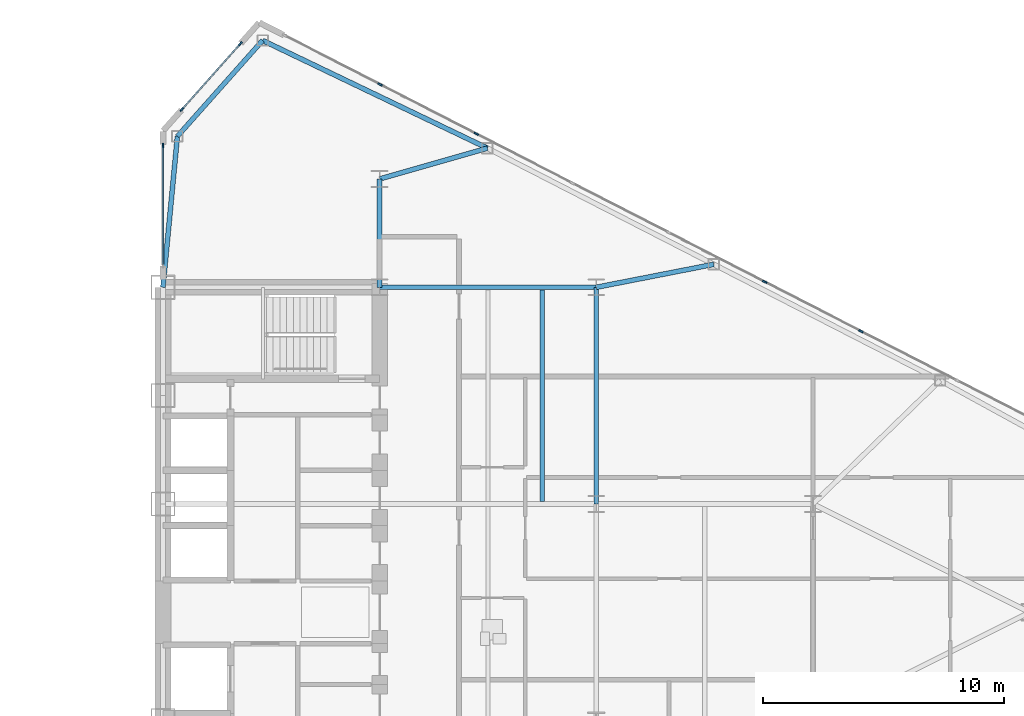
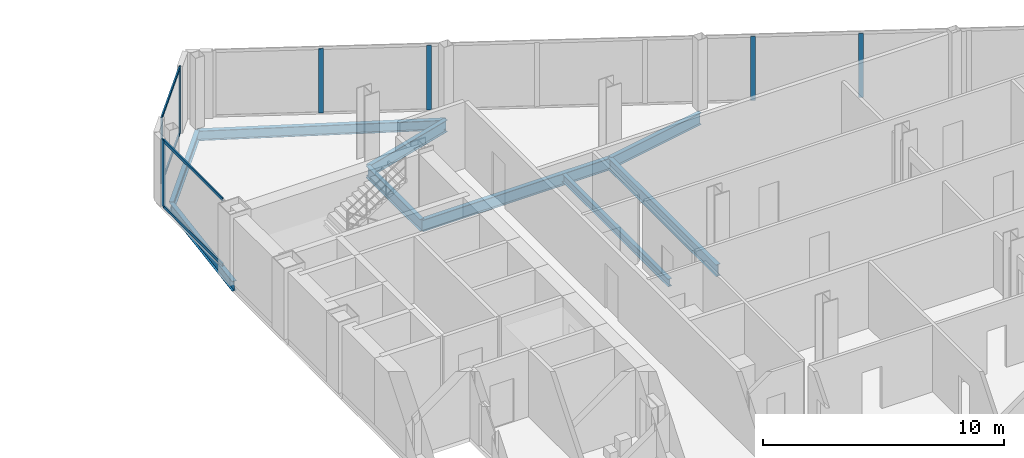
# One storey, part 11 of 24: 11 members, 9 beams, 3 elements without a shape of their own.
"""IFC4 building model written with IfcOpenShell, lengths in metres."""

import ifcopenshell
import ifcopenshell.guid

model = None  # the IFC model being written
_history = None  # IfcOwnerHistory: only IFC2X3 demands one
_inside = {}  # id of a spatial element -> (the spatial element, [elements in it])
_under = {}  # id of a project, library or spatial element -> (it, [spatial elements below it])
_declared = {}  # id of a project -> (the project, [libraries it declares])
_typed = {}  # id of a type object -> (the type object, [elements of that type])
_made_of = {}  # id of a material, layer set ... -> (it, [elements and type objects made of it])


def new_model(schema):
    """Start an empty IFC model of exactly this schema.

    Asked for "IFC4X3", IfcOpenShell would pick the latest addendum, in which some entities
    have other attributes; the version numbers below select the first issue.
    IFC2X3 requires an IfcOwnerHistory on every rooted entity: one is made here for all.
    """
    global model, _history
    if schema == "IFC4X3":
        model = ifcopenshell.file(schema_version=(4, 3, 0, 0))
    else:
        model = ifcopenshell.file(schema=schema)
    _inside.clear()
    _under.clear()
    _declared.clear()
    _typed.clear()
    _made_of.clear()
    _history = None
    if model.schema == "IFC2X3":
        org = make("IfcOrganization", Name="unknown")
        user = make(
            "IfcPersonAndOrganization",
            ThePerson=make("IfcPerson", FamilyName="unknown"),
            TheOrganization=org,
        )
        app = make(
            "IfcApplication",
            ApplicationDeveloper=org,
            Version="unknown",
            ApplicationFullName="unknown",
            ApplicationIdentifier="unknown",
        )
        _history = make(
            "IfcOwnerHistory",
            OwningUser=user,
            OwningApplication=app,
            ChangeAction="ADDED",
            CreationDate=0,
        )
    return model


def make(cls, **values):
    """One entity of the class cls with the attributes given. An attribute that is None is left unset."""
    return model.create_entity(
        cls, **{name: value for name, value in values.items() if value is not None}
    )


def rooted(cls, **values):
    """An entity with a GlobalId (a new one), such as an element, a storey or a relation."""
    return make(cls, GlobalId=ifcopenshell.guid.new(), OwnerHistory=_history, **values)


def si_unit(unit_type, name, prefix=None):
    """IfcSIUnit, for example si_unit("LENGTHUNIT", "METRE", prefix="MILLI")."""
    return make("IfcSIUnit", UnitType=unit_type, Prefix=prefix, Name=name)


def assignment(units):
    """IfcUnitAssignment: the units of a project."""
    return None if units is None else make("IfcUnitAssignment", Units=units)


def point(xyz):
    """IfcCartesianPoint."""
    return None if xyz is None else make("IfcCartesianPoint", Coordinates=xyz)


def direction(xyz):
    """IfcDirection."""
    return None if xyz is None else make("IfcDirection", DirectionRatios=xyz)


def frame(location, z_axis=None, x_axis=None):
    """IfcAxis2Placement3D, a coordinate frame: its origin and axes. An axis left out is left unset."""
    return make(
        "IfcAxis2Placement3D",
        Location=point(location),
        Axis=direction(z_axis),
        RefDirection=direction(x_axis),
    )


def frame_2d(location, x_axis=None):
    """IfcAxis2Placement2D, a coordinate frame in the plane: its origin and x axis."""
    return make(
        "IfcAxis2Placement2D", Location=point(location), RefDirection=direction(x_axis)
    )


def origin():
    """The frame at (0, 0, 0) with its axes left unset."""
    return frame((0.0, 0.0, 0.0))


def origin_2d():
    """The frame at (0, 0) in the plane with its x axis left unset."""
    return frame_2d((0.0, 0.0))


def place(relative_to, where):
    """IfcLocalPlacement: puts the frame where relative to a parent placement (None: the world)."""
    return make(
        "IfcLocalPlacement", PlacementRelTo=relative_to, RelativePlacement=where
    )


def context(
    kind, dimensions, precision=None, world=None, true_north=None, identifier=None
):
    """IfcGeometricRepresentationContext, for example the 3D "Model" context."""
    return make(
        "IfcGeometricRepresentationContext",
        ContextIdentifier=identifier,
        ContextType=kind,
        CoordinateSpaceDimension=dimensions,
        Precision=precision,
        WorldCoordinateSystem=world,
        TrueNorth=true_north,
    )


def subcontext(parent, identifier, kind, view, scale=None):
    """IfcGeometricRepresentationSubContext, for example "Body" below "Model"."""
    return make(
        "IfcGeometricRepresentationSubContext",
        ContextIdentifier=identifier,
        ContextType=kind,
        ParentContext=parent,
        TargetScale=scale,
        TargetView=view,
    )


def project(units=None, contexts=None):
    """IfcProject with its units and contexts."""
    return rooted(
        "IfcProject",
        Name="project",
        RepresentationContexts=contexts,
        UnitsInContext=assignment(units),
    )


def spatial(cls, under=None, at=None, **own):
    """A site, building, storey or space (cls), placed at a placement, below another one or the project."""
    s = rooted(cls, ObjectPlacement=at, **own)
    if under is not None:
        _under.setdefault(under.id(), (under, []))[1].append(s)
    return s


def profile(cls, at=None, kind="AREA", **sizes):
    """A parametric profile (cls). Its sizes go by their IFC names, for example OverallWidth=200.0."""
    return make(cls, ProfileType=kind, Position=at, **sizes)


def rectangle(**sizes):
    """IfcRectangleProfileDef."""
    return profile("IfcRectangleProfileDef", **sizes)


def i_section(**sizes):
    """IfcIShapeProfileDef."""
    return profile("IfcIShapeProfileDef", **sizes)


def extrude(swept, where, along, depth):
    """IfcExtrudedAreaSolid: the profile swept, set in the frame where, extruded along a direction by depth."""
    return make(
        "IfcExtrudedAreaSolid",
        SweptArea=swept,
        Position=where,
        ExtrudedDirection=direction(along),
        Depth=depth,
    )


def shape(context_of_items, identifier, shape_type, items):
    """IfcShapeRepresentation: the items that make up one representation, for example the "Body"."""
    return make(
        "IfcShapeRepresentation",
        ContextOfItems=context_of_items,
        RepresentationIdentifier=identifier,
        RepresentationType=shape_type,
        Items=items,
    )


def source(mapping_origin, context_of_items, identifier, shape_type, items):
    """IfcRepresentationMap: a shape defined once, which mapped items show again and again."""
    return make(
        "IfcRepresentationMap",
        MappingOrigin=mapping_origin,
        MappedRepresentation=shape(context_of_items, identifier, shape_type, items),
    )


def transform(
    local_origin,
    x_axis=None,
    y_axis=None,
    z_axis=None,
    scale=None,
    scale2=None,
    scale3=None,
    uniform=True,
):
    """IfcCartesianTransformationOperator3D, or its non-uniform kind. x_axis, y_axis, z_axis: its Axis1, 2, 3."""
    if uniform:
        return make(
            "IfcCartesianTransformationOperator3D",
            Axis1=direction(x_axis),
            Axis2=direction(y_axis),
            LocalOrigin=point(local_origin),
            Scale=scale,
            Axis3=direction(z_axis),
        )
    return make(
        "IfcCartesianTransformationOperator3DnonUniform",
        Axis1=direction(x_axis),
        Axis2=direction(y_axis),
        LocalOrigin=point(local_origin),
        Scale=scale,
        Axis3=direction(z_axis),
        Scale2=scale2,
        Scale3=scale3,
    )


def mapped(mapping_source, mapping_target):
    """IfcMappedItem: shows the shape of a source again, moved by a transform."""
    return make(
        "IfcMappedItem", MappingSource=mapping_source, MappingTarget=mapping_target
    )


def material(Name=None, Category=None):
    """IfcMaterial."""
    return make("IfcMaterial", Name=Name, Category=Category)


def layer(
    of_material, thickness, ventilated=None, Name=None, Category=None, Priority=None
):
    """IfcMaterialLayer: one layer of a wall or slab, of a material (None: an air gap)."""
    return make(
        "IfcMaterialLayer",
        Material=of_material,
        LayerThickness=thickness,
        IsVentilated=ventilated,
        Name=Name,
        Category=Category,
        Priority=Priority,
    )


def layer_set(layers, Name=None):
    """IfcMaterialLayerSet."""
    return make("IfcMaterialLayerSet", MaterialLayers=layers, LayerSetName=Name)


def material_profile(
    of_material, cross_section, Name=None, Category=None, Priority=None
):
    """IfcMaterialProfile: a cross section and its material."""
    return make(
        "IfcMaterialProfile",
        Name=Name,
        Material=of_material,
        Profile=cross_section,
        Priority=Priority,
        Category=Category,
    )


def profile_set(profiles, Name=None, composite=None):
    """IfcMaterialProfileSet."""
    return make(
        "IfcMaterialProfileSet",
        Name=Name,
        MaterialProfiles=profiles,
        CompositeProfile=composite,
    )


def made_of(thing, what):
    """Note that an element or type object is made of a material, layer set ...; save() writes the relation."""
    if what is not None:
        _made_of.setdefault(what.id(), (what, []))[1].append(thing)
    return thing


def type_object(cls, material=None, **own):
    """A type object (cls), such as IfcWallType, which elements share."""
    return made_of(rooted(cls, **own), material)


def type_shapes(of_type, sources):
    """Give a type object the sources (RepresentationMaps) that its elements show as mapped items."""
    of_type.RepresentationMaps = sources


def element(
    cls,
    number,
    at=None,
    inside=None,
    cuts=None,
    type_object=None,
    material=None,
    context=None,
    identifier="Body",
    shape_type=None,
    held_by="IfcProductDefinitionShape",
    body=None,
    shapes=None,
    **own,
):
    """One element of the class cls, such as IfcWall. Its Tag is "e" and its number.

    at: its placement. inside: the storey or other place that contains it. cuts: it is an
    opening in that element (IfcRelVoidsElement). A single representation is given by context,
    identifier, shape_type and body (its items); several are given by shapes. held_by: the class
    of the entity that holds the representations. save() writes the other relations.
    """
    e = rooted(cls, Tag="e%d" % number, ObjectPlacement=at, **own)
    if body is not None:
        shapes = [shape(context, identifier, shape_type, body)]
    if shapes is not None:
        e.Representation = make(held_by, Representations=shapes)
    if inside is not None:
        _inside.setdefault(inside.id(), (inside, []))[1].append(e)
    if cuts is not None:
        rooted(
            "IfcRelVoidsElement", RelatingBuildingElement=cuts, RelatedOpeningElement=e
        )
    if type_object is not None:
        _typed.setdefault(type_object.id(), (type_object, []))[1].append(e)
    return made_of(e, material)


def aggregate(whole, parts):
    """IfcRelAggregates: a whole, such as a stair, and the parts it consists of."""
    return rooted("IfcRelAggregates", RelatingObject=whole, RelatedObjects=parts)


def save(model, path):
    """Write the relations noted so far, then the file.

    IfcRelAggregates (storeys below a building ...), IfcRelContainedInSpatialStructure (elements
    in a storey), IfcRelDefinesByType, IfcRelAssociatesMaterial and IfcRelDeclares: one each for
    every whole, place, type object, material and project.
    """
    for whole, parts in _under.values():
        aggregate(whole, parts)
    for where, things in _inside.values():
        rooted(
            "IfcRelContainedInSpatialStructure",
            RelatedElements=things,
            RelatingStructure=where,
        )
    for kind, things in _typed.values():
        rooted("IfcRelDefinesByType", RelatedObjects=things, RelatingType=kind)
    for what, things in _made_of.values():
        rooted("IfcRelAssociatesMaterial", RelatedObjects=things, RelatingMaterial=what)
    for by, libraries in _declared.values():
        rooted("IfcRelDeclares", RelatingContext=by, RelatedDefinitions=libraries)
    model.write(path)


model = new_model("IFC4")

# Units and contexts
model_context = context("Model", 3, precision=1e-05, world=origin(), true_north=direction((0.0, 1.0)))
body_context = subcontext(model_context, "Body", "Model", "MODEL_VIEW")
ifc_project = project(units=[si_unit("LENGTHUNIT", "METRE"), si_unit("AREAUNIT", "SQUARE_METRE"), si_unit("VOLUMEUNIT", "CUBIC_METRE"), si_unit("PLANEANGLEUNIT", "RADIAN"), si_unit("MASSUNIT", "GRAM", prefix="KILO")], contexts=[model_context])

# Site, building, storey
site_placement = place(None, origin())
site = spatial("IfcSite", under=ifc_project, at=site_placement, CompositionType="ELEMENT")
building_placement = place(site_placement, origin())
building = spatial("IfcBuilding", under=site, at=building_placement, Name="Seokmaru Belvedere", CompositionType="ELEMENT")
storey_placement = place(building_placement, frame((0.0, 0.0, 124.800048828125)))
storey = spatial("IfcBuildingStorey", under=building, at=storey_placement, Name="L33", CompositionType="ELEMENT", Elevation=124.800048828125)

# Beams
ifc_material_1 = material(Name="Steel SM355 (355 MPa)", Category="steel")
ifc_material_profile_1 = material_profile(ifc_material_1, i_section(OverallWidth=0.199951171875, OverallDepth=0.60009765625, WebThickness=0.010986328125, FlangeThickness=0.01708984375, at=origin_2d()), Name="H-600x200x11x17")
ifc_profile_set_1 = profile_set([ifc_material_profile_1], Name="Steel SM355 (355 MPa)")
beam_type_1 = type_object("IfcBeamType", Name="Primary Floor Girder H-600", PredefinedType="BEAM", material=ifc_profile_set_1)
shared_shape_1 = source(origin(), body_context, "Body", "SweptSolid", [
    extrude(i_section(OverallWidth=0.199951171875, OverallDepth=0.60009765625, WebThickness=0.010986328125, FlangeThickness=0.01708984375, at=origin_2d()), origin(), (0.0, 0.0, 1.0), 9.0),
])
for number, where, z_axis, x_axis, name in (
    (1, (45.5, 4.5, -0.52001953125), (0.0, 1.0, 0.0), (-1.0, 0.0, 0.0), "L33 E Interior Grid Girder 3"),
    (2, (36.5, 13.5, -0.52001953125), (1.0, 0.0, 0.0), (0.0, 1.0, 0.0), "L33 E Wing Primary Girder 4"),
):
    element("IfcBeam", number, at=place(storey_placement, frame(where, z_axis=z_axis, x_axis=x_axis)), inside=storey, type_object=beam_type_1, Name=name, PredefinedType="BEAM", context=body_context, shape_type="MappedRepresentation", body=[
        mapped(shared_shape_1, transform((0.0, 0.0, 0.0), scale=1.0)),
    ])
ifc_material_profile_2 = material_profile(ifc_material_1, i_section(OverallWidth=0.18505859375, OverallDepth=0.389892578125, WebThickness=0.008056640625, FlangeThickness=0.011962890625, at=origin_2d()), Name="H-390x185x8x12")
ifc_profile_set_2 = profile_set([ifc_material_profile_2], Name="Steel SM355 (355 MPa)")
beam_type_2 = type_object("IfcBeamType", Name="Secondary Floor Joist H-350", PredefinedType="JOIST", material=ifc_profile_set_2)
shared_shape_2 = source(origin(), body_context, "Body", "SweptSolid", [
    extrude(i_section(OverallWidth=0.18505859375, OverallDepth=0.389892578125, WebThickness=0.008056640625, FlangeThickness=0.011962890625, at=origin_2d()), origin(), (0.0, 0.0, 1.0), 8.7900390625),
])
type_shapes(beam_type_2, [shared_shape_2])
beam_1_placement = place(storey_placement, frame((43.25, 4.60498046875, -0.4150390625), z_axis=(0.0, 1.0, 0.0), x_axis=(-1.0, 0.0, 0.0)))
element("IfcBeam", 3, at=beam_1_placement, inside=storey, type_object=beam_type_2, Name="L33 E Wing Inner Secondary Joist 2", PredefinedType="JOIST", context=body_context, shape_type="MappedRepresentation", body=[
    mapped(shared_shape_2, transform((0.0, 0.0, 0.0), scale=1.0)),
])
shared_shape_3 = source(origin(), body_context, "Body", "SweptSolid", [
    extrude(i_section(OverallWidth=0.199951171875, OverallDepth=0.60009765625, WebThickness=0.010986328125, FlangeThickness=0.01708984375, at=origin_2d()), origin(), (0.0, 0.0, 1.0), 4.5),
])
beam_2_placement = place(storey_placement, frame((36.5, 13.5, -0.52001953125), z_axis=(0.0, 1.0, 0.0), x_axis=(-1.0, 0.0, 0.0)))
element("IfcBeam", 4, at=beam_2_placement, inside=storey, type_object=beam_type_1, Name="L33 E Core Shoulder Girder N", PredefinedType="BEAM", context=body_context, shape_type="MappedRepresentation", body=[
    mapped(shared_shape_3, transform((0.0, 0.0, 0.0), scale=1.0)),
])
ifc_material_profile_3 = material_profile(ifc_material_1, i_section(OverallWidth=0.199951171875, OverallDepth=0.5, WebThickness=0.010009765625, FlangeThickness=0.01611328125, at=origin_2d()), Name="H-500x200x10x16")
ifc_profile_set_3 = profile_set([ifc_material_profile_3], Name="Steel SM355 (355 MPa)")
beam_type_3 = type_object("IfcBeamType", Name="Perimeter Spandrel Beam H-500", PredefinedType="SPANDREL", material=ifc_profile_set_3)
shared_shape_4 = source(origin(), body_context, "Body", "SweptSolid", [
    extrude(i_section(OverallWidth=0.199951171875, OverallDepth=0.5, WebThickness=0.010009765625, FlangeThickness=0.01611328125, at=origin_2d()), origin(), (0.0, 0.0, 1.0), 10.353759765625),
])
beam_3_placement = place(storey_placement, frame((31.6396484375, 23.75390625, -0.469970703125), z_axis=(0.901713202822, -0.432334708134, 0.0), x_axis=(0.432334708134, 0.901713202822, 0.0)))
element("IfcBeam", 5, at=beam_3_placement, inside=storey, type_object=beam_type_3, Name="L33 E Faceted Flank Spandrel N-1", PredefinedType="SPANDREL", context=body_context, shape_type="MappedRepresentation", body=[
    mapped(shared_shape_4, transform((0.0, 0.0, 0.0), scale=1.0)),
])
shared_shape_5 = source(origin(), body_context, "Body", "SweptSolid", [
    extrude(i_section(OverallWidth=0.199951171875, OverallDepth=0.5, WebThickness=0.010009765625, FlangeThickness=0.01611328125, at=origin_2d()), origin(), (0.0, 0.0, 1.0), 5.32763671875),
])
beam_4_placement = place(storey_placement, frame((31.6396484375, 23.75390625, -0.469970703125), z_axis=(-0.66436952742, -0.74740426212, 0.0), x_axis=(0.74740426212, -0.66436952742, 0.0)))
element("IfcBeam", 6, at=beam_4_placement, inside=storey, type_object=beam_type_3, Name="L33 E Shoulder Chamfer Spandrel N", PredefinedType="SPANDREL", context=body_context, shape_type="MappedRepresentation", body=[
    mapped(shared_shape_5, transform((0.0, 0.0, 0.0), scale=1.0)),
])
shared_shape_6 = source(origin(), body_context, "Body", "SweptSolid", [
    extrude(i_section(OverallWidth=0.199951171875, OverallDepth=0.5, WebThickness=0.010009765625, FlangeThickness=0.01611328125, at=origin_2d()), origin(), (0.0, 0.0, 1.0), 6.300537109375),
])
type_shapes(beam_type_3, [shared_shape_4, shared_shape_5, shared_shape_6])
beam_5_placement = place(storey_placement, frame((28.10009765625, 19.77197265625, -0.469970703125), z_axis=(-0.095244287992, -0.995453929424, 0.0), x_axis=(0.995453929424, -0.095244287992, 0.0)))
element("IfcBeam", 7, at=beam_5_placement, inside=storey, type_object=beam_type_3, Name="L33 E Shoulder Spine Spandrel N", PredefinedType="SPANDREL", context=body_context, shape_type="MappedRepresentation", body=[
    mapped(shared_shape_6, transform((0.0, 0.0, 0.0), scale=1.0)),
])
shared_shape_7 = source(origin(), body_context, "Body", "SweptSolid", [
    extrude(i_section(OverallWidth=0.199951171875, OverallDepth=0.60009765625, WebThickness=0.010986328125, FlangeThickness=0.01708984375, at=origin_2d()), origin(), (0.0, 0.0, 1.0), 4.654541015625),
])
beam_6_placement = place(storey_placement, frame((40.975830078125, 19.277587890625, -0.52001953125), z_axis=(-0.961593192625, -0.274478654721, 0.0), x_axis=(0.274478654721, -0.961593192625, 0.0)))
element("IfcBeam", 8, at=beam_6_placement, inside=storey, type_object=beam_type_1, Name="L33 E Flank Radial Floor Girder N-1", PredefinedType="BEAM", context=body_context, shape_type="MappedRepresentation", body=[
    mapped(shared_shape_7, transform((0.0, 0.0, 0.0), scale=1.0)),
])
shared_shape_8 = source(origin(), body_context, "Body", "SweptSolid", [
    extrude(i_section(OverallWidth=0.199951171875, OverallDepth=0.60009765625, WebThickness=0.010986328125, FlangeThickness=0.01708984375, at=origin_2d()), origin(), (0.0, 0.0, 1.0), 4.969482421875),
])
type_shapes(beam_type_1, [shared_shape_1, shared_shape_3, shared_shape_7, shared_shape_8])
beam_7_placement = place(storey_placement, frame((50.377197265625, 14.453369140625, -0.52001953125), z_axis=(-0.98142544456, -0.19184393858, 0.0), x_axis=(0.19184393858, -0.98142544456, 0.0)))
element("IfcBeam", 9, at=beam_7_placement, inside=storey, type_object=beam_type_1, Name="L33 E Flank Radial Floor Girder N-2", PredefinedType="BEAM", context=body_context, shape_type="MappedRepresentation", body=[
    mapped(shared_shape_8, transform((0.0, 0.0, 0.0), scale=1.0)),
])

# Curtain wall, members
ifc_material_2 = material(Name="Bronze Triple Insulating Glass", Category="glass")
ifc_layer = layer(ifc_material_2, 0.195068359375)
ifc_layer_set = layer_set([ifc_layer], Name="Bronze Triple Insulating Glass")
curtain_wall_type = type_object("IfcCurtainWallType", Name="Sky-Lobby and Mid-Rise Curtain Wall System CW-4", PredefinedType="NOTDEFINED", material=ifc_layer_set)
curtain_wall_1_placement = place(storey_placement, origin())
curtain_wall_1 = element("IfcCurtainWall", 10, at=curtain_wall_1_placement, inside=storey, type_object=curtain_wall_type, Name="L33 Curtain Wall EF4", PredefinedType="NOTDEFINED")
ifc_material_3 = material(Name="Anodised Bronze Aluminium", Category="aluminium")
ifc_material_profile_4 = material_profile(ifc_material_3, rectangle(XDim=0.070068359375, YDim=0.195068359375, at=origin_2d()), Name="CW-M-70x195")
ifc_profile_set_4 = profile_set([ifc_material_profile_4], Name="Anodised Bronze Aluminium")
member_type_1 = type_object("IfcMemberType", Name="Bronze Unitised Mullion 70x195", PredefinedType="MULLION", material=ifc_profile_set_4)
shared_shape_9 = source(origin(), body_context, "Body", "SweptSolid", [
    extrude(rectangle(XDim=0.070068359375, YDim=0.195068359375, at=origin_2d()), origin(), (0.0, 0.0, 1.0), 3.3798828125),
])
member_1_placement = place(storey_placement, frame((30.712646484375, 23.6142578125, 0.0), z_axis=(0.0, 0.0, 1.0), x_axis=(0.747409774804, -0.664363325694, 0.0)))
member_1 = element("IfcMember", 11, at=member_1_placement, type_object=member_type_1, Name="CW:L33:EF4 Mullion 1", PredefinedType="MULLION", context=body_context, shape_type="MappedRepresentation", body=[
    mapped(shared_shape_9, transform((0.0, 0.0, 0.0), scale=1.0)),
])
member_2_placement = place(storey_placement, frame((28.287353515625, 20.8857421875, 0.0), z_axis=(0.0, 0.0, 1.0), x_axis=(0.747409774804, -0.664363325694, 0.0)))
member_2 = element("IfcMember", 12, at=member_2_placement, type_object=member_type_1, Name="CW:L33:EF4 Mullion 2", PredefinedType="MULLION", context=body_context, shape_type="MappedRepresentation", body=[
    mapped(shared_shape_9, transform((0.0, 0.0, 0.0), scale=1.0)),
])

curtain_wall_2_placement = place(storey_placement, origin())
curtain_wall_2 = element("IfcCurtainWall", 13, at=curtain_wall_2_placement, inside=storey, type_object=curtain_wall_type, Name="L33 Curtain Wall ESP_2", PredefinedType="NOTDEFINED")
member_3_placement = place(storey_placement, frame((27.5, 19.39501953125, 0.0), z_axis=(0.0, 0.0, 1.0), x_axis=(1.0, 0.0, 0.0)))
member_3 = element("IfcMember", 14, at=member_3_placement, type_object=member_type_1, Name="CW:L33:ESP_2 Mullion 1", PredefinedType="MULLION", context=body_context, shape_type="MappedRepresentation", body=[
    mapped(shared_shape_9, transform((0.0, 0.0, 0.0), scale=1.0)),
])
ifc_material_profile_5 = material_profile(ifc_material_3, rectangle(XDim=0.06494140625, YDim=0.14990234375, at=origin_2d()), Name="CW-T-65x150")
ifc_profile_set_5 = profile_set([ifc_material_profile_5], Name="Anodised Bronze Aluminium")
member_type_2 = type_object("IfcMemberType", Name="Bronze Unitised Transom 65x150", PredefinedType="USERDEFINED", material=ifc_profile_set_5)
shared_shape_10 = source(origin(), body_context, "Body", "SweptSolid", [
    extrude(rectangle(XDim=0.06494140625, YDim=0.14990234375, at=origin_2d()), origin(), (0.0, 0.0, 1.0), 4.91015625),
])
member_4_placement = place(storey_placement, frame((27.5, 19.360107421875, 0.032470703125), z_axis=(0.0, -1.0, 0.0), x_axis=(1.0, 0.0, 0.0)))
member_4 = element("IfcMember", 15, at=member_4_placement, type_object=member_type_2, Name="CW:L33:ESP_2 Continuous Transom 1", ObjectType="TRANSOM", PredefinedType="USERDEFINED", context=body_context, shape_type="MappedRepresentation", body=[
    mapped(shared_shape_10, transform((0.0, 0.0, 0.0), scale=1.0)),
])
member_5_placement = place(storey_placement, frame((27.5, 19.360107421875, 3.347412109375), z_axis=(0.0, -1.0, 0.0), x_axis=(1.0, 0.0, 0.0)))
member_5 = element("IfcMember", 16, at=member_5_placement, type_object=member_type_2, Name="CW:L33:ESP_2 Continuous Transom 2", ObjectType="TRANSOM", PredefinedType="USERDEFINED", context=body_context, shape_type="MappedRepresentation", body=[
    mapped(shared_shape_10, transform((0.0, 0.0, 0.0), scale=1.0)),
])
aggregate(curtain_wall_2, [member_3, member_4, member_5])

# Member
shared_shape_11 = source(origin(), body_context, "Body", "SweptSolid", [
    extrude(rectangle(XDim=0.06494140625, YDim=0.14990234375, at=origin_2d()), origin(), (0.0, 0.0, 1.0), 3.580810546875),
])
type_shapes(member_type_2, [shared_shape_10, shared_shape_11])
member_6_placement = place(storey_placement, frame((30.689453125, 23.588134765625, 0.032470703125), z_axis=(-0.66436383883, -0.747409318684, 0.0), x_axis=(0.747409318684, -0.66436383883, 0.0)))
member_6 = element("IfcMember", 17, at=member_6_placement, type_object=member_type_2, Name="CW:L33:EF4 Continuous Transom 1", ObjectType="TRANSOM", PredefinedType="USERDEFINED", context=body_context, shape_type="MappedRepresentation", body=[
    mapped(shared_shape_11, transform((0.0, 0.0, 0.0), scale=1.0)),
])

member_7_placement = place(storey_placement, frame((30.689453125, 23.588134765625, 3.347412109375), z_axis=(-0.66436383883, -0.747409318684, 0.0), x_axis=(0.747409318684, -0.66436383883, 0.0)))
member_7 = element("IfcMember", 18, at=member_7_placement, type_object=member_type_2, Name="CW:L33:EF4 Continuous Transom 2", ObjectType="TRANSOM", PredefinedType="USERDEFINED", context=body_context, shape_type="MappedRepresentation", body=[
    mapped(shared_shape_11, transform((0.0, 0.0, 0.0), scale=1.0)),
])

aggregate(curtain_wall_1, [member_1, member_2, member_6, member_7])

# Curtain wall, members
curtain_wall_3_placement = place(storey_placement, origin())
curtain_wall_3 = element("IfcCurtainWall", 19, at=curtain_wall_3_placement, inside=storey, type_object=curtain_wall_type, Name="L33 Curtain Wall EF3", PredefinedType="NOTDEFINED")
shared_shape_12 = source(origin(), body_context, "Body", "SweptSolid", [
    extrude(rectangle(XDim=0.070068359375, YDim=0.195068359375, at=origin_2d()), origin(), (0.0, 0.0, 1.0), 3.25),
])
type_shapes(member_type_1, [shared_shape_9, shared_shape_12])
member_8_placement = place(storey_placement, frame((56.4921875, 11.675048828125, 0.06494140625), z_axis=(0.0, 0.0, 1.0), x_axis=(-0.456554528263, -0.889695432562, 0.0)))
member_8 = element("IfcMember", 20, at=member_8_placement, type_object=member_type_1, Name="CW:L33:EF3 Mullion 4", PredefinedType="MULLION", context=body_context, shape_type="MappedRepresentation", body=[
    mapped(shared_shape_12, transform((0.0, 0.0, 0.0), scale=1.0)),
])
member_9_placement = place(storey_placement, frame((52.497314453125, 13.72509765625, 0.06494140625), z_axis=(0.0, 0.0, 1.0), x_axis=(-0.456554528263, -0.889695432562, 0.0)))
member_9 = element("IfcMember", 21, at=member_9_placement, type_object=member_type_1, Name="CW:L33:EF3 Mullion 5", PredefinedType="MULLION", context=body_context, shape_type="MappedRepresentation", body=[
    mapped(shared_shape_12, transform((0.0, 0.0, 0.0), scale=1.0)),
])
member_10_placement = place(storey_placement, frame((40.5126953125, 19.875, 0.06494140625), z_axis=(0.0, 0.0, 1.0), x_axis=(-0.456554528263, -0.889695432562, 0.0)))
member_10 = element("IfcMember", 22, at=member_10_placement, type_object=member_type_1, Name="CW:L33:EF3 Mullion 8", PredefinedType="MULLION", context=body_context, shape_type="MappedRepresentation", body=[
    mapped(shared_shape_12, transform((0.0, 0.0, 0.0), scale=1.0)),
])
member_11_placement = place(storey_placement, frame((36.51806640625, 21.925048828125, 0.06494140625), z_axis=(0.0, 0.0, 1.0), x_axis=(-0.456554528263, -0.889695432562, 0.0)))
member_11 = element("IfcMember", 23, at=member_11_placement, type_object=member_type_1, Name="CW:L33:EF3 Mullion 9", PredefinedType="MULLION", context=body_context, shape_type="MappedRepresentation", body=[
    mapped(shared_shape_12, transform((0.0, 0.0, 0.0), scale=1.0)),
])
aggregate(curtain_wall_3, [member_8, member_9, member_10, member_11])

save(model, "model.ifc")
